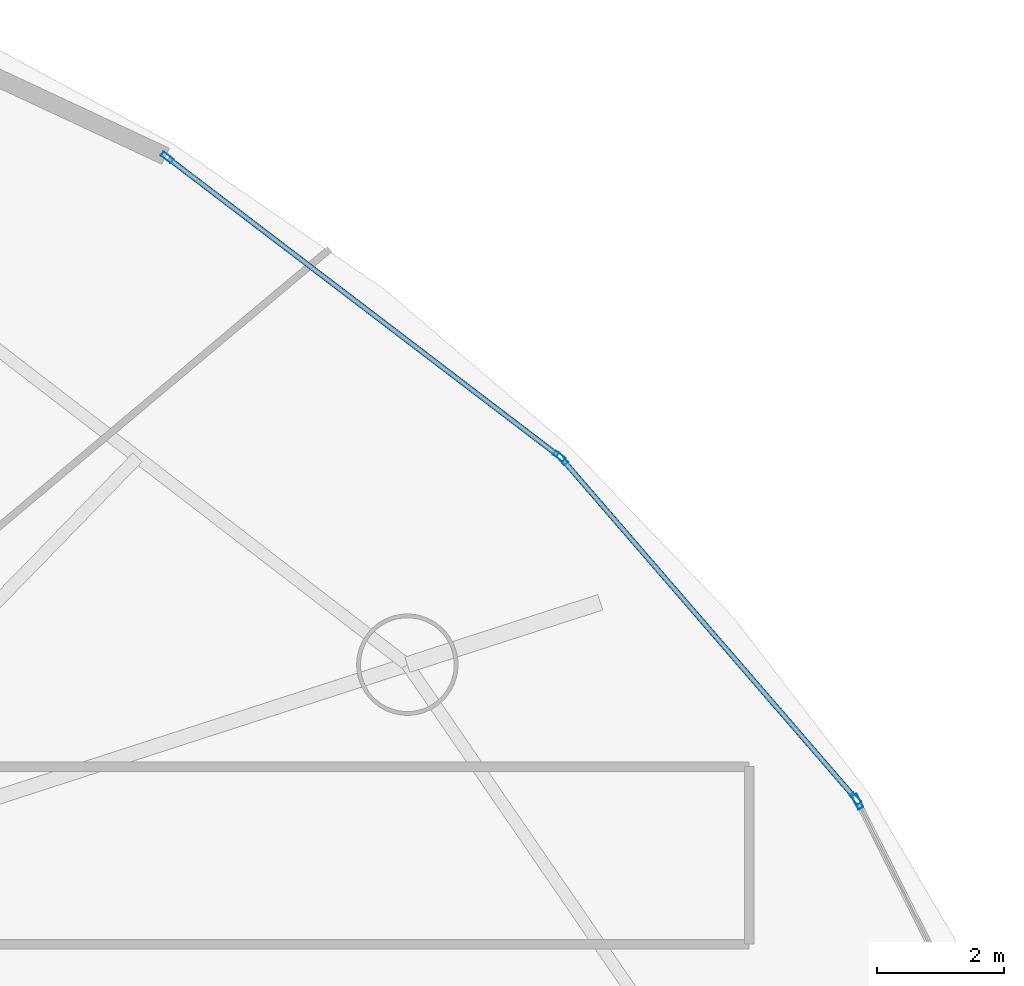
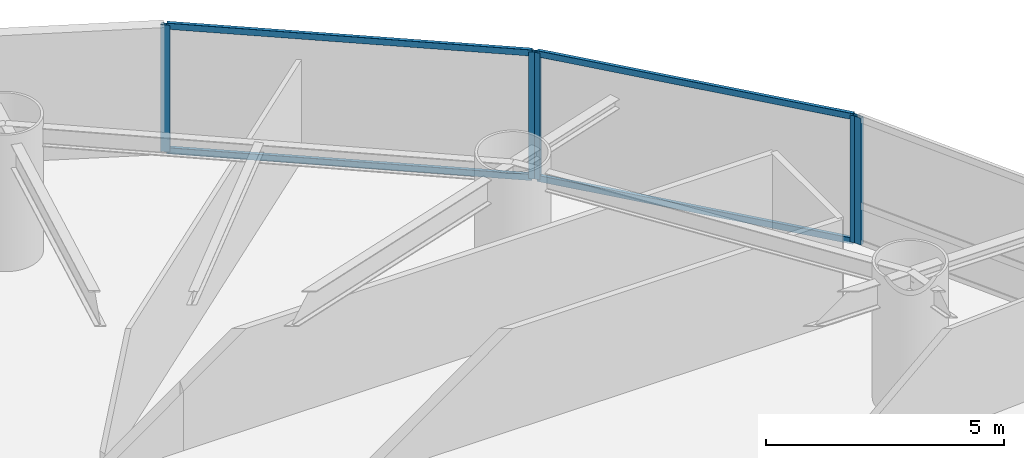
# One storey, part 17 of 26: 9 members, 3 elements without a shape of their own.
"""IFC4 building model written with IfcOpenShell, lengths in metres."""

from ifc_helpers import new_model, si_unit, direction, frame, origin, origin_2d, place, context, subcontext, project, spatial, hollow_rectangle, extrude, material, layer, layer_set, material_profile, profile_set, type_object, element, aggregate, save


model = new_model("IFC4")

# Units and contexts
model_context = context("Model", 3, precision=1e-05, world=origin(), true_north=direction((0.0, 1.0)))
body_context = subcontext(model_context, "Body", "Model", "MODEL_VIEW")
ifc_project = project(units=[si_unit("LENGTHUNIT", "METRE"), si_unit("AREAUNIT", "SQUARE_METRE"), si_unit("VOLUMEUNIT", "CUBIC_METRE"), si_unit("PLANEANGLEUNIT", "RADIAN"), si_unit("MASSUNIT", "GRAM", prefix="KILO")], contexts=[model_context])

# Site, building, storey
site_placement = place(None, origin())
site = spatial("IfcSite", under=ifc_project, at=site_placement, CompositionType="ELEMENT")
building_placement = place(site_placement, origin())
building = spatial("IfcBuilding", under=site, at=building_placement, Name="Bramvorn Convention Spire", CompositionType="ELEMENT")
storey_placement = place(building_placement, frame((0.0, 0.0, 51.89990234375)))
storey = spatial("IfcBuildingStorey", under=building, at=storey_placement, Name="L10", CompositionType="ELEMENT", Elevation=51.89990234375)

# Curtain wall, members
ifc_material_1 = material(Name="Anodised Bronze Unitised Curtain Wall", Category="aluminium")
ifc_layer_1 = layer(ifc_material_1, 0.179931640625)
ifc_layer_set_1 = layer_set([ifc_layer_1], Name="Anodised Bronze Unitised Curtain Wall - CW-HTL-FRIT")
curtain_wall_type_1 = type_object("IfcCurtainWallType", Name="CW-HTL-FRIT", PredefinedType="USERDEFINED", material=ifc_layer_set_1)
curtain_wall_1_placement = place(storey_placement, origin())
curtain_wall_1 = element("IfcCurtainWall", 1, at=curtain_wall_1_placement, inside=storey, type_object=curtain_wall_type_1, Name="L10 fritted glass curtain wall 03", ObjectType="UNITISED CURTAIN WALL", PredefinedType="USERDEFINED")
ifc_material_2 = material(Name="Anodised Bronze Aluminium 6063-T6", Category="aluminium")
ifc_material_profile_1 = material_profile(ifc_material_2, hollow_rectangle(XDim=0.080078125, YDim=0.199951171875, WallThickness=0.00390625, InnerFilletRadius=0.0009765625, OuterFilletRadius=0.00390625, at=origin_2d()))
ifc_profile_set_1 = profile_set([ifc_material_profile_1], Name="Anodised Bronze Aluminium 6063-T6 - CWM80X200")
member_type_1 = type_object("IfcMemberType", Name="CW-MUL-180", PredefinedType="MULLION", material=ifc_profile_set_1)
member_1_placement = place(storey_placement, frame((62.547119140625, 40.2080078125, 0.0), z_axis=(0.0, 0.0, 1.0), x_axis=(0.756572062713, 0.653910325597, 0.0)))
member_1 = element("IfcMember", 2, at=member_1_placement, type_object=member_type_1, Name="CW2 mullion 1", PredefinedType="MULLION", context=body_context, shape_type="SweptSolid", body=[
    extrude(hollow_rectangle(XDim=0.080078125, YDim=0.199951171875, WallThickness=0.00390625, InnerFilletRadius=0.0009765625, OuterFilletRadius=0.00390625, at=origin_2d()), origin(), (0.0, 0.0, 1.0), 3.25),
])
member_2_placement = place(storey_placement, frame((67.1787109375, 34.849365234375, 0.0), z_axis=(0.0, 0.0, 1.0), x_axis=(0.756572062713, 0.653910325597, 0.0)))
member_2 = element("IfcMember", 3, at=member_2_placement, type_object=member_type_1, Name="CW2 mullion 2", PredefinedType="MULLION", context=body_context, shape_type="SweptSolid", body=[
    extrude(hollow_rectangle(XDim=0.080078125, YDim=0.199951171875, WallThickness=0.00390625, InnerFilletRadius=0.0009765625, OuterFilletRadius=0.00390625, at=origin_2d()), origin(), (0.0, 0.0, 1.0), 3.25),
])

curtain_wall_2_placement = place(storey_placement, origin())
curtain_wall_2 = element("IfcCurtainWall", 4, at=curtain_wall_2_placement, inside=storey, type_object=curtain_wall_type_1, Name="L10 fritted glass curtain wall 04", ObjectType="UNITISED CURTAIN WALL", PredefinedType="USERDEFINED")
member_3_placement = place(storey_placement, frame((56.312255859375, 44.968505859375, 0.0), z_axis=(0.0, 0.0, 1.0), x_axis=(0.606226779363, 0.795291828189, 0.0)))
member_3 = element("IfcMember", 5, at=member_3_placement, type_object=member_type_1, Name="CW2 mullion 1", PredefinedType="MULLION", context=body_context, shape_type="SweptSolid", body=[
    extrude(hollow_rectangle(XDim=0.080078125, YDim=0.199951171875, WallThickness=0.00390625, InnerFilletRadius=0.0009765625, OuterFilletRadius=0.00390625, at=origin_2d()), origin(), (0.0, 0.0, 1.0), 3.25),
])
member_4_placement = place(storey_placement, frame((62.503662109375, 40.2490234375, 0.0), z_axis=(0.0, 0.0, 1.0), x_axis=(0.606226779363, 0.795291828189, 0.0)))
member_4 = element("IfcMember", 6, at=member_4_placement, type_object=member_type_1, Name="CW2 mullion 2", PredefinedType="MULLION", context=body_context, shape_type="SweptSolid", body=[
    extrude(hollow_rectangle(XDim=0.080078125, YDim=0.199951171875, WallThickness=0.00390625, InnerFilletRadius=0.0009765625, OuterFilletRadius=0.00390625, at=origin_2d()), origin(), (0.0, 0.0, 1.0), 3.25),
])

# Curtain wall, member
ifc_layer_2 = layer(ifc_material_1, 0.219970703125)
ifc_layer_set_2 = layer_set([ifc_layer_2], Name="Anodised Bronze Unitised Curtain Wall - CW-SKYGARDEN")
curtain_wall_type_2 = type_object("IfcCurtainWallType", Name="CW-SKYGARDEN", PredefinedType="USERDEFINED", material=ifc_layer_set_2)
curtain_wall_3_placement = place(storey_placement, origin())
curtain_wall_3 = element("IfcCurtainWall", 7, at=curtain_wall_3_placement, inside=storey, type_object=curtain_wall_type_2, Name="L10 Sky Garden glazed facade 02", ObjectType="WINTER GARDEN GLAZING", PredefinedType="USERDEFINED")
ifc_material_profile_2 = material_profile(ifc_material_2, hollow_rectangle(XDim=0.090087890625, YDim=0.239990234375, WallThickness=0.00439453125, InnerFilletRadius=0.0009765625, OuterFilletRadius=0.00439453125, at=origin_2d()))
ifc_profile_set_2 = profile_set([ifc_material_profile_2], Name="Anodised Bronze Aluminium 6063-T6 - CWM90X240")
member_type_2 = type_object("IfcMemberType", Name="CW-MUL-220", PredefinedType="MULLION", material=ifc_profile_set_2)
member_5_placement = place(storey_placement, frame((67.211669921875, 34.7998046875, 0.0), z_axis=(0.0, 0.0, 1.0), x_axis=(0.893206879573, 0.449645938805, 0.0)))
member_5 = element("IfcMember", 8, at=member_5_placement, type_object=member_type_2, Name="CW4 mullion 1", PredefinedType="MULLION", context=body_context, shape_type="SweptSolid", body=[
    extrude(hollow_rectangle(XDim=0.090087890625, YDim=0.239990234375, WallThickness=0.00439453125, InnerFilletRadius=0.0009765625, OuterFilletRadius=0.00439453125, at=origin_2d()), origin(), (0.0, 0.0, 1.0), 3.25),
])
aggregate(curtain_wall_3, [member_5])

# Member
ifc_material_profile_3 = material_profile(ifc_material_2, hollow_rectangle(XDim=0.080078125, YDim=0.159912109375, WallThickness=0.00390625, InnerFilletRadius=0.0009765625, OuterFilletRadius=0.00390625, at=origin_2d()))
ifc_profile_set_3 = profile_set([ifc_material_profile_3], Name="Anodised Bronze Aluminium 6063-T6 - CWT80X160")
member_type_3 = type_object("IfcMemberType", Name="CW-TRN-150", PredefinedType="USERDEFINED", material=ifc_profile_set_3)
member_6_placement = place(storey_placement, frame((62.566650390625, 40.185302734375, 0.030029296875), z_axis=(0.653932067139, -0.756553270806, 0.0), x_axis=(0.756553270806, 0.653932067139, 0.0)))
member_6 = element("IfcMember", 9, at=member_6_placement, type_object=member_type_3, Name="CW2 transom 1.1", ObjectType="TRANSOM", PredefinedType="USERDEFINED", context=body_context, shape_type="SweptSolid", body=[
    extrude(hollow_rectangle(XDim=0.080078125, YDim=0.159912109375, WallThickness=0.00390625, InnerFilletRadius=0.0009765625, OuterFilletRadius=0.00390625, at=origin_2d()), origin(), (0.0, 0.0, 1.0), 7.02294921875),
])

member_7_placement = place(storey_placement, frame((62.566650390625, 40.185302734375, 3.22021484375), z_axis=(0.653932067139, -0.756553270806, 0.0), x_axis=(0.756553270806, 0.653932067139, 0.0)))
member_7 = element("IfcMember", 10, at=member_7_placement, type_object=member_type_3, Name="CW2 transom 1.2", ObjectType="TRANSOM", PredefinedType="USERDEFINED", context=body_context, shape_type="SweptSolid", body=[
    extrude(hollow_rectangle(XDim=0.080078125, YDim=0.159912109375, WallThickness=0.00390625, InnerFilletRadius=0.0009765625, OuterFilletRadius=0.00390625, at=origin_2d()), origin(), (0.0, 0.0, 1.0), 7.02294921875),
])

aggregate(curtain_wall_1, [member_1, member_2, member_6, member_7])

member_8_placement = place(storey_placement, frame((56.336181640625, 44.9501953125, 0.030029296875), z_axis=(0.795288050485, -0.606231735193, 0.0), x_axis=(0.606231735193, 0.795288050485, 0.0)))
member_8 = element("IfcMember", 11, at=member_8_placement, type_object=member_type_3, Name="CW2 transom 1.1", ObjectType="TRANSOM", PredefinedType="USERDEFINED", context=body_context, shape_type="SweptSolid", body=[
    extrude(hollow_rectangle(XDim=0.080078125, YDim=0.159912109375, WallThickness=0.00390625, InnerFilletRadius=0.0009765625, OuterFilletRadius=0.00390625, at=origin_2d()), origin(), (0.0, 0.0, 1.0), 7.724853515625),
])

member_9_placement = place(storey_placement, frame((56.336181640625, 44.9501953125, 3.22021484375), z_axis=(0.795288050485, -0.606231735193, 0.0), x_axis=(0.606231735193, 0.795288050485, 0.0)))
member_9 = element("IfcMember", 12, at=member_9_placement, type_object=member_type_3, Name="CW2 transom 1.2", ObjectType="TRANSOM", PredefinedType="USERDEFINED", context=body_context, shape_type="SweptSolid", body=[
    extrude(hollow_rectangle(XDim=0.080078125, YDim=0.159912109375, WallThickness=0.00390625, InnerFilletRadius=0.0009765625, OuterFilletRadius=0.00390625, at=origin_2d()), origin(), (0.0, 0.0, 1.0), 7.724853515625),
])

aggregate(curtain_wall_2, [member_3, member_4, member_8, member_9])

save(model, "model.ifc")
